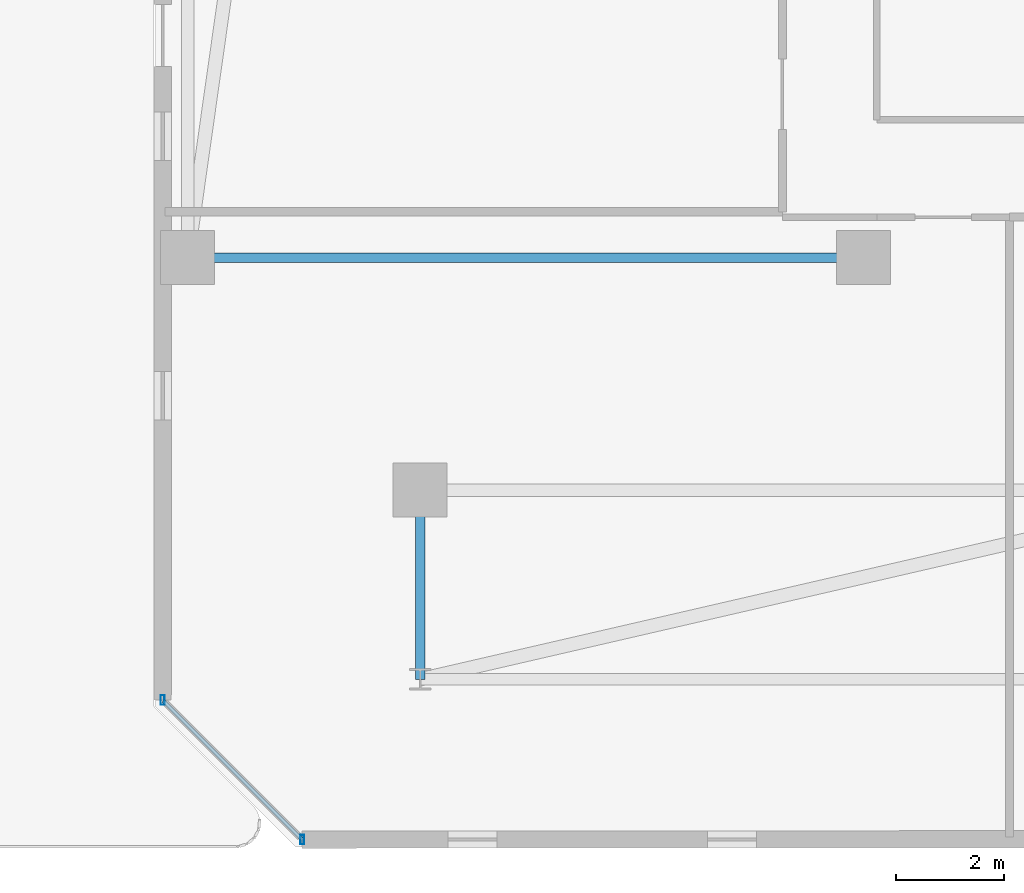
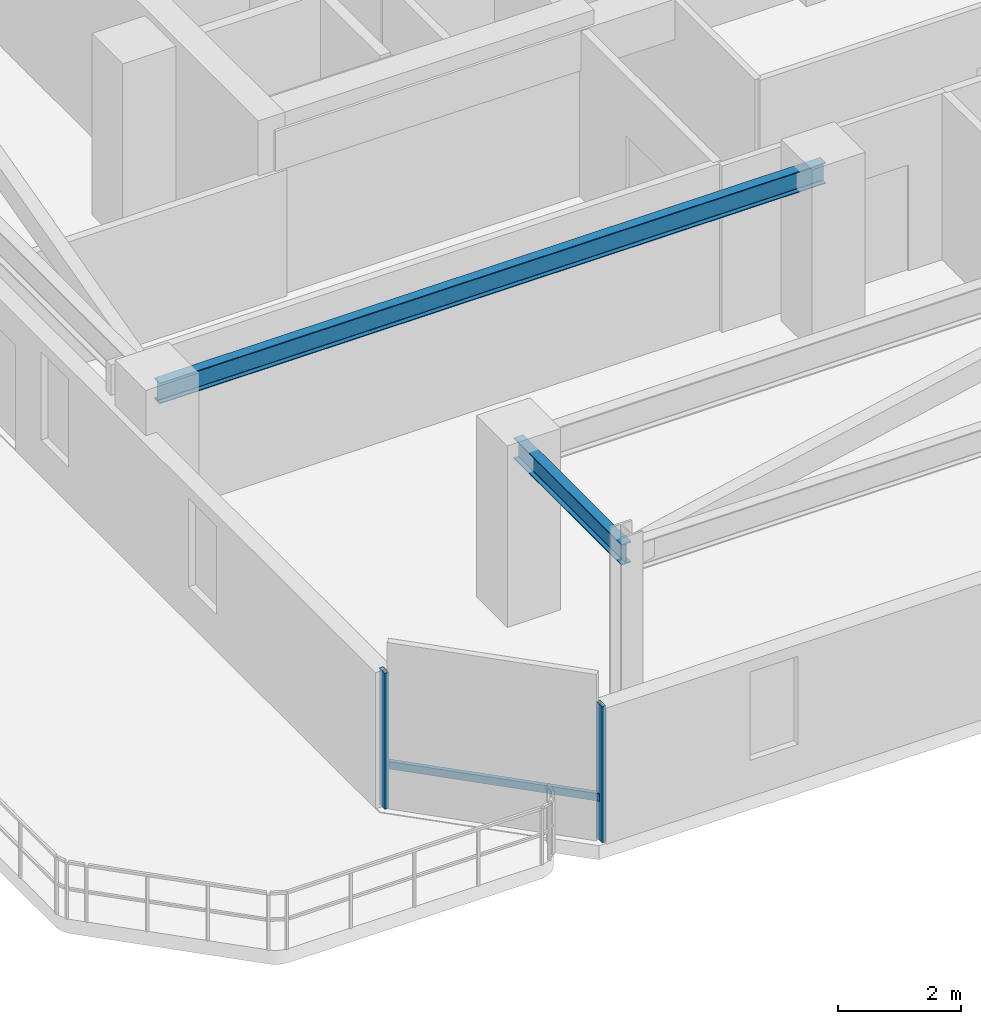
# One storey, part 10 of 29: 3 members, 2 beams, 1 element without a shape of its own.
"""IFC4 building model written with IfcOpenShell, lengths in metres."""

from ifc_helpers import new_model, si_unit, direction, frame, origin, origin_2d, place, context, subcontext, project, spatial, hollow_rectangle, i_section, extrude, material, material_profile, profile_set, type_object, element, aggregate, save


model = new_model("IFC4")

# Units and contexts
model_context = context("Model", 3, precision=1e-05, world=origin(), true_north=direction((0.0, 1.0)))
body_context = subcontext(model_context, "Body", "Model", "MODEL_VIEW")
ifc_project = project(units=[si_unit("LENGTHUNIT", "METRE"), si_unit("AREAUNIT", "SQUARE_METRE"), si_unit("VOLUMEUNIT", "CUBIC_METRE"), si_unit("PLANEANGLEUNIT", "RADIAN"), si_unit("MASSUNIT", "GRAM", prefix="KILO")], contexts=[model_context])

# Site, building, storey
site_placement = place(None, origin())
site = spatial("IfcSite", under=ifc_project, at=site_placement, CompositionType="ELEMENT")
building_placement = place(site_placement, origin())
building = spatial("IfcBuilding", under=site, at=building_placement, Name="Thornwick Lancets Civic Towers", CompositionType="ELEMENT")
storey_placement = place(building_placement, frame((0.0, 0.0, 229.5)))
storey = spatial("IfcBuildingStorey", under=building, at=storey_placement, Name="L61", CompositionType="ELEMENT", Elevation=229.5)

# Beams
ifc_material_1 = material(Name="Steel S355JR", Category="steel")
ifc_material_profile_1 = material_profile(ifc_material_1, i_section(OverallWidth=0.179443359375, OverallDepth=0.412841796875, WebThickness=0.009521484375, FlangeThickness=0.01611328125, FilletRadius=0.01025390625, at=origin_2d()), Name="UKB 406x178x74")
ifc_profile_set_1 = profile_set([ifc_material_profile_1], Name="Steel S355JR")
beam_type = type_object("IfcBeamType", Name="BM_JOIST_406_74", PredefinedType="JOIST", material=ifc_profile_set_1)
beam_1_placement = place(storey_placement, frame((83.699951171875, 14.0, 3.113525390625), z_axis=(-1.0, 0.0, 0.0), x_axis=(0.0, -1.0, 0.0)))
element("IfcBeam", 1, at=beam_1_placement, inside=storey, type_object=beam_type, Name="BM-RADIN-L61-B07", PredefinedType="JOIST", context=body_context, shape_type="SweptSolid", body=[
    extrude(i_section(OverallWidth=0.179443359375, OverallDepth=0.412841796875, WebThickness=0.009521484375, FlangeThickness=0.01611328125, FilletRadius=0.01025390625, at=origin_2d()), origin(), (0.0, 0.0, 1.0), 12.5),
])
beam_2_placement = place(storey_placement, frame((75.5, 9.699951171875, 3.113525390625), z_axis=(0.0, -1.0, 0.0), x_axis=(1.0, 0.0, 0.0)))
element("IfcBeam", 2, at=beam_2_placement, inside=storey, type_object=beam_type, Name="BM-RAD-L61-B12", PredefinedType="JOIST", context=body_context, shape_type="SweptSolid", body=[
    extrude(i_section(OverallWidth=0.179443359375, OverallDepth=0.412841796875, WebThickness=0.009521484375, FlangeThickness=0.01611328125, FilletRadius=0.01025390625, at=origin_2d()), origin(), (0.0, 0.0, 1.0), 3.5),
])

# Curtain wall, members
ifc_material_2 = material(Name="High-zone chamfered-corner unitised glass curtain wall", Category="glass")
curtain_wall_type = type_object("IfcCurtainWallType", Name="CW_SYS_05", PredefinedType="NOTDEFINED", material=ifc_material_2)
curtain_wall_placement = place(storey_placement, origin())
curtain_wall = element("IfcCurtainWall", 3, at=curtain_wall_placement, inside=storey, type_object=curtain_wall_type, Name="L61 Curtain Wall CW-L61-B-E7", PredefinedType="NOTDEFINED")
ifc_material_3 = material(Name="Thermally broken bronze aluminium S355", Category="steel")
ifc_material_profile_2 = material_profile(ifc_material_3, hollow_rectangle(XDim=0.074951171875, YDim=0.179931640625, WallThickness=0.006103515625, at=origin_2d()), Name="RHS 180x75x6")
ifc_profile_set_2 = profile_set([ifc_material_profile_2], Name="Thermally broken bronze aluminium S355")
member_type_1 = type_object("IfcMemberType", Name="CW_MUL_180", PredefinedType="MULLION", material=ifc_profile_set_2)
member_1_placement = place(storey_placement, frame((70.7353515625, 5.818603515625, 0.0), z_axis=(0.0, 0.0, 1.0), x_axis=(1.0, 0.0, 0.0)))
member_1 = element("IfcMember", 4, at=member_1_placement, type_object=member_type_1, Name="CW-L61-B-E7 Mullion 0", PredefinedType="MULLION", context=body_context, shape_type="SweptSolid", body=[
    extrude(hollow_rectangle(XDim=0.074951171875, YDim=0.179931640625, WallThickness=0.006103515625, at=origin_2d()), origin(), (0.0, 0.0, 1.0), 2.699951171875),
])
member_2_placement = place(storey_placement, frame((73.318603515625, 3.2353515625, 0.0), z_axis=(0.0, 0.0, 1.0), x_axis=(1.0, 0.0, 0.0)))
member_2 = element("IfcMember", 5, at=member_2_placement, type_object=member_type_1, Name="CW-L61-B-E7 Mullion 1", PredefinedType="MULLION", context=body_context, shape_type="SweptSolid", body=[
    extrude(hollow_rectangle(XDim=0.074951171875, YDim=0.179931640625, WallThickness=0.006103515625, at=origin_2d()), origin(), (0.0, 0.0, 1.0), 2.699951171875),
])
ifc_material_profile_3 = material_profile(ifc_material_3, hollow_rectangle(XDim=0.074951171875, YDim=0.14990234375, WallThickness=0.0048828125, at=origin_2d()), Name="RHS 150x75x5")
ifc_profile_set_3 = profile_set([ifc_material_profile_3], Name="Thermally broken bronze aluminium S355")
member_type_2 = type_object("IfcMemberType", Name="CW_TRN_150", PredefinedType="USERDEFINED", material=ifc_profile_set_3)
member_3_placement = place(storey_placement, frame((70.74951171875, 5.804443359375, 0.85009765625), z_axis=(0.707106781187, -0.707106781187, 0.0), x_axis=(0.707106781187, 0.707106781187, 0.0)))
member_3 = element("IfcMember", 6, at=member_3_placement, type_object=member_type_2, Name="CW-L61-B-E7 Transom 0", ObjectType="TRANSOM", PredefinedType="USERDEFINED", context=body_context, shape_type="SweptSolid", body=[
    extrude(hollow_rectangle(XDim=0.074951171875, YDim=0.14990234375, WallThickness=0.0048828125, at=origin_2d()), origin(), (0.0, 0.0, 1.0), 3.61328125),
])
aggregate(curtain_wall, [member_1, member_2, member_3])

save(model, "model.ifc")
